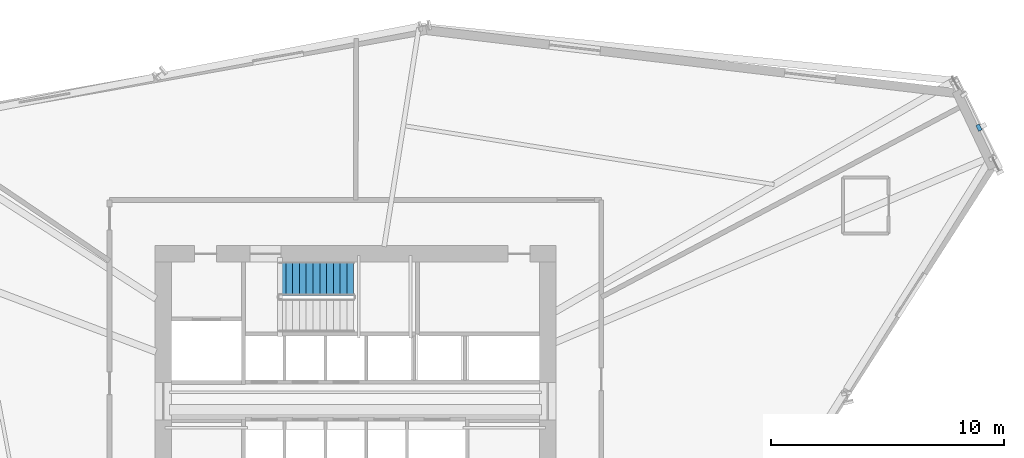
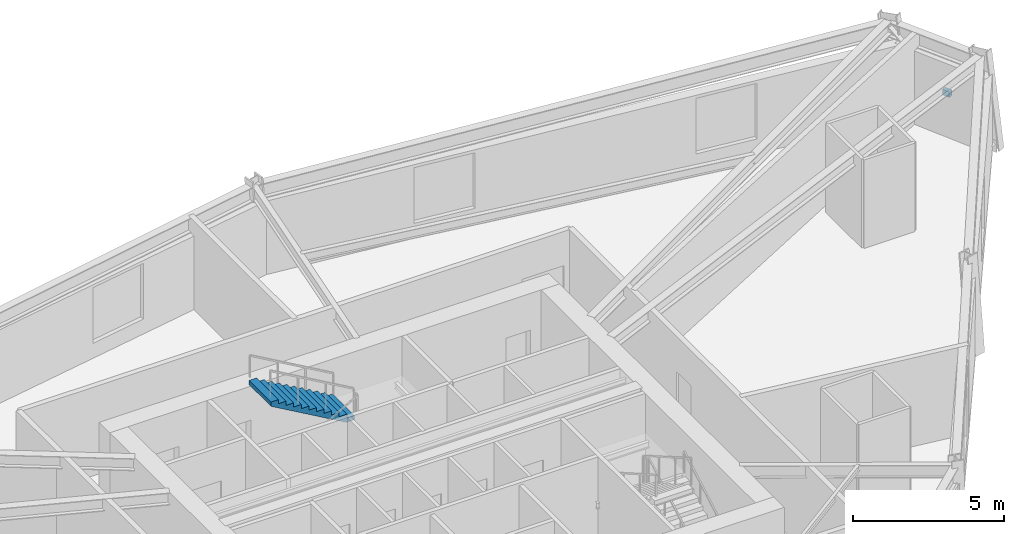
# One storey, part 14 of 16: 1 discrete accessory, 1 stair flight, 1 element without a shape of its own.
"""IFC4 building model written with IfcOpenShell, lengths in metres."""

from ifc_helpers import new_model, si_unit, direction, frame, origin, origin_2d, place, context, subcontext, project, spatial, polyline, rectangle, outline, extrude, source, transform, mapped, material, type_object, element, aggregate, save


model = new_model("IFC4")

# Units and contexts
model_context = context("Model", 3, precision=1e-05, world=origin(), true_north=direction((0.0, 1.0)))
body_context = subcontext(model_context, "Body", "Model", "MODEL_VIEW")
ifc_project = project(units=[si_unit("LENGTHUNIT", "METRE"), si_unit("AREAUNIT", "SQUARE_METRE"), si_unit("VOLUMEUNIT", "CUBIC_METRE"), si_unit("PLANEANGLEUNIT", "RADIAN"), si_unit("MASSUNIT", "GRAM", prefix="KILO")], contexts=[model_context])

# Site, building, storey
site_placement = place(None, origin())
site = spatial("IfcSite", under=ifc_project, at=site_placement, CompositionType="ELEMENT")
building_placement = place(site_placement, origin())
building = spatial("IfcBuilding", under=site, at=building_placement, Name="Olszyna Solenne Hotel", CompositionType="ELEMENT")
storey_placement = place(building_placement, frame((0.0, 0.0, 138.10009765625)))
storey = spatial("IfcBuildingStorey", under=building, at=storey_placement, Name="L36", CompositionType="ELEMENT", Elevation=138.10009765625)

# Stair, stair flight
ifc_material_1 = material(Name="Concrete C40/50", Category="concrete")
stair_type = type_object("IfcStairType", Name="STR-C1", PredefinedType="TWO_QUARTER_WINDING_STAIR", material=ifc_material_1)
stair_placement = place(storey_placement, origin())
stair = element("IfcStair", 1, at=stair_placement, inside=storey, type_object=stair_type, Name="L36 ST3", PredefinedType="TWO_QUARTER_WINDING_STAIR")
stair_flight_type = type_object("IfcStairFlightType", Name="FLT-C1", PredefinedType="STRAIGHT", material=ifc_material_1)
stair_flight_placement = place(storey_placement, frame((37.919921875, 32.97509765625, 2.0), z_axis=(0.0, 0.0, 1.0), x_axis=(-1.0, 0.0, 0.0)))
stair_flight = element("IfcStairFlight", 2, at=stair_flight_placement, type_object=stair_flight_type, Name="ST3 flight 2", NumberOfRisers=12, NumberOfTreads=11, PredefinedType="STRAIGHT", RiserHeight=0.166666667, TreadLength=0.29, context=body_context, shape_type="SweptSolid", body=[
    extrude(outline(polyline([(0.0, 0.0), (0.0, 0.166748046875), (0.2900390625, 0.166748046875), (0.2900390625, 0.333251953125), (0.580078125, 0.333251953125), (0.580078125, 0.5), (0.8701171875, 0.5), (0.8701171875, 0.666748046875), (1.159912109375, 0.666748046875), (1.159912109375, 0.833251953125), (1.449951171875, 0.833251953125), (1.449951171875, 1.0), (1.739990234375, 1.0), (1.739990234375, 1.166748046875), (2.030029296875, 1.166748046875), (2.030029296875, 1.333251953125), (2.320068359375, 1.333251953125), (2.320068359375, 1.5), (2.610107421875, 1.5), (2.610107421875, 1.666748046875), (2.89990234375, 1.666748046875), (2.89990234375, 1.833251953125), (3.18994140625, 1.833251953125), (3.18994140625, 2.0), (3.18994140625, 1.660400390625), (0.30078125, 0.0), (0.0, 0.0)])), frame((0.0, 0.72509765625, 0.0), z_axis=(0.0, -1.0, 0.0), x_axis=(1.0, 0.0, 0.0)), (0.0, 0.0, 1.0), 1.449951171875),
])
aggregate(stair, [stair_flight])

# Discrete accessory
ifc_material_2 = material(Name="Steel S355J2", Category="steel")
discrete_accessory_type = type_object("IfcDiscreteAccessoryType", Name="BRK-01", PredefinedType="BRACKET", material=ifc_material_2)
shared_shape = source(origin(), body_context, "Body", "SweptSolid", [
    extrude(rectangle(XDim=0.280029296875, YDim=0.159912109375, at=origin_2d()), origin(), (0.0, 0.0, 1.0), 0.219970703125),
])
discrete_accessory_placement = place(storey_placement, frame((64.751220703125, 39.450927734375, 1.3759765625), z_axis=(0.0, 0.0, 1.0), x_axis=(0.428146661421, -0.903709265369, 0.0)))
element("IfcDiscreteAccessory", 3, at=discrete_accessory_placement, inside=storey, type_object=discrete_accessory_type, Name="Facade support bracket BRK-FN-L36-09", PredefinedType="BRACKET", context=body_context, shape_type="MappedRepresentation", body=[
    mapped(shared_shape, transform((0.0, 0.0, 0.0), x_axis=(1.0, 0.0, 0.0), y_axis=(0.0, 1.0, 0.0), z_axis=(0.0, 0.0, 1.0), scale=1.0)),
])

save(model, "model.ifc")
